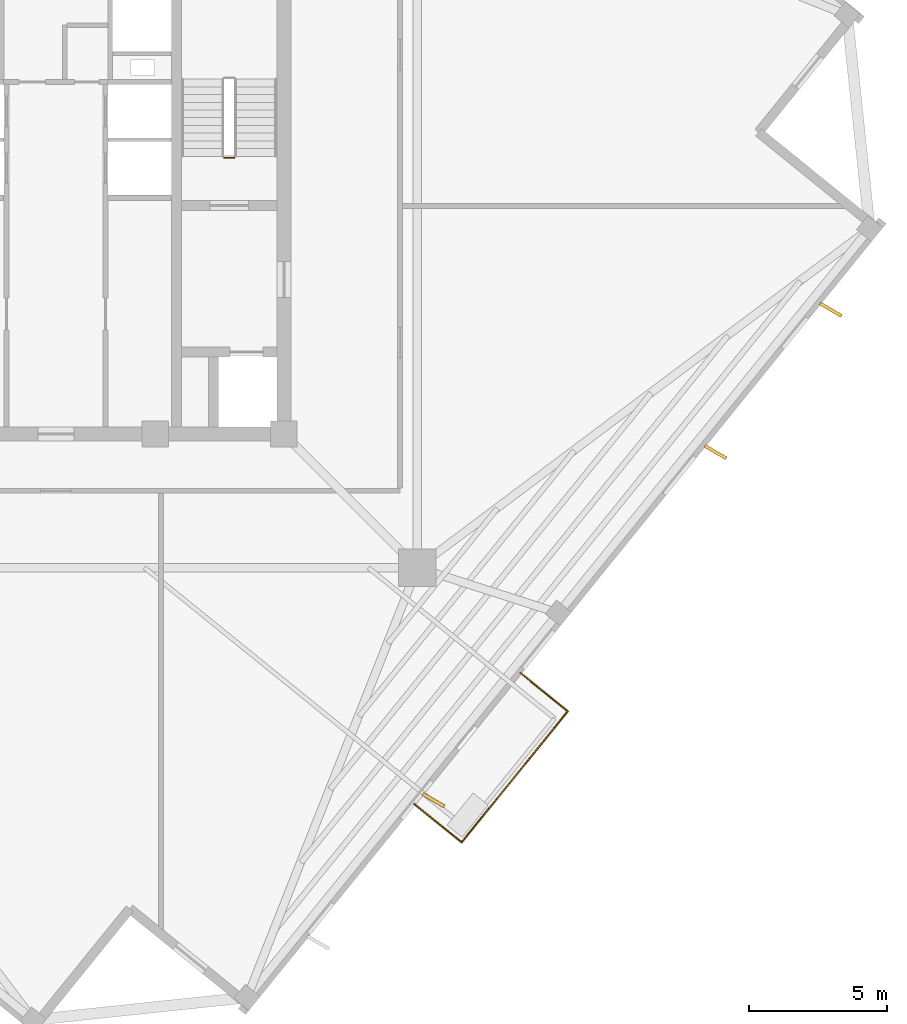
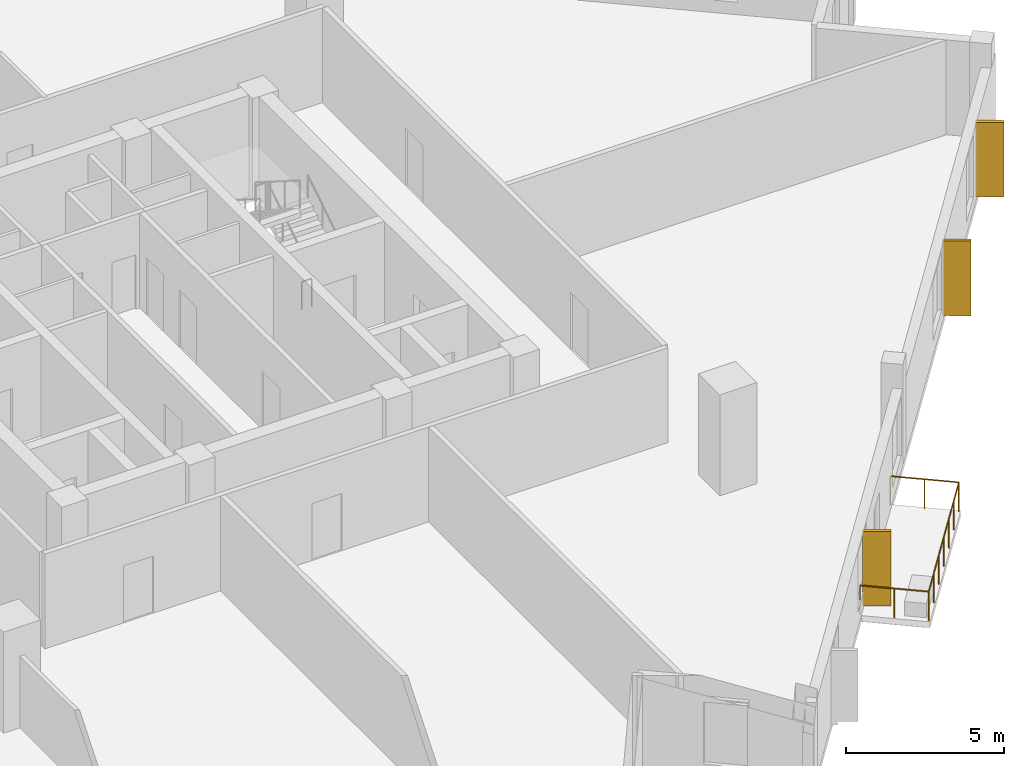
# One storey, part 7 of 9: 4 railings, 3 coverings.
"""IFC4 building model written with IfcOpenShell, lengths in metres."""

from ifc_helpers import new_model, si_unit, direction, frame, origin, origin_2d, place, context, subcontext, project, spatial, rectangle, circle, extrude, source, transform, mapped, material, layer, layer_set, type_object, element, save


model = new_model("IFC4")

# Units and contexts
model_context = context("Model", 3, precision=1e-05, world=origin(), true_north=direction((0.0, 1.0)))
body_context = subcontext(model_context, "Body", "Model", "MODEL_VIEW")
ifc_project = project(units=[si_unit("LENGTHUNIT", "METRE"), si_unit("AREAUNIT", "SQUARE_METRE"), si_unit("VOLUMEUNIT", "CUBIC_METRE"), si_unit("PLANEANGLEUNIT", "RADIAN"), si_unit("MASSUNIT", "GRAM", prefix="KILO"), si_unit("THERMODYNAMICTEMPERATUREUNIT", "KELVIN")], contexts=[model_context])

# Site, building, storey
site_placement = place(None, origin())
site = spatial("IfcSite", under=ifc_project, at=site_placement, CompositionType="ELEMENT")
building_placement = place(site_placement, origin())
building = spatial("IfcBuilding", under=site, at=building_placement, Name="Kosmvard Interchange Tower", CompositionType="ELEMENT")
storey_placement = place(building_placement, frame((0.0, 0.0, 248.5)))
storey = spatial("IfcBuildingStorey", under=building, at=storey_placement, Name="L60", CompositionType="ELEMENT", Elevation=248.5)

# Railings
ifc_material_1 = material(Name="Steel S355", Category="steel")
railing_type_1 = type_object("IfcRailingType", Name="Observation & Balcony Glass-Infill Balustrade 1150", PredefinedType="BALUSTRADE", material=ifc_material_1)
shared_shape_1 = source(origin(), body_context, "Body", "SweptSolid", [
    extrude(circle(Radius=0.02392578125, at=origin_2d()), frame((0.0, 0.0, 1.1259765625), z_axis=(-0.777195763313, 0.629258885904, 0.0), x_axis=(-0.629258885904, -0.777195763313, 0.0)), (0.0, 0.0, 1.0), 2.199951171875),
    extrude(circle(Radius=0.02099609375, at=origin_2d()), origin(), (0.0, 0.0, 1.0), 1.101806640625),
    extrude(circle(Radius=0.02099609375, at=origin_2d()), frame((-0.85498046875, 0.692138671875, 0.0)), (0.0, 0.0, 1.0), 1.101806640625),
    extrude(circle(Radius=0.02099609375, at=origin_2d()), frame((-1.709716796875, 1.38427734375, 0.0)), (0.0, 0.0, 1.0), 1.101806640625),
])
railing_1_placement = place(storey_placement, frame((18.523193359375, -18.281005859375, 0.0)))
element("IfcRailing", 1, at=railing_1_placement, inside=storey, type_object=railing_type_1, Name="L60 Outdoor Terrace Guard BAL-L60-S-C", PredefinedType="BALUSTRADE", context=body_context, shape_type="MappedRepresentation", body=[
    mapped(shared_shape_1, transform((0.0, 0.0, 0.0), scale=1.0)),
])
shared_shape_2 = source(origin(), body_context, "Body", "SweptSolid", [
    extrude(circle(Radius=0.02392578125, at=origin_2d()), frame((0.0, 0.0, 1.1259765625), z_axis=(0.777141488432, -0.629325914736, 0.0), x_axis=(0.629325914736, 0.777141488432, 0.0)), (0.0, 0.0, 1.0), 2.199951171875),
    extrude(circle(Radius=0.02099609375, at=origin_2d()), origin(), (0.0, 0.0, 1.0), 1.101806640625),
    extrude(circle(Radius=0.02099609375, at=origin_2d()), frame((0.85498046875, -0.6923828125, 0.0)), (0.0, 0.0, 1.0), 1.101806640625),
    extrude(circle(Radius=0.02099609375, at=origin_2d()), frame((1.709716796875, -1.384521484375, 0.0)), (0.0, 0.0, 1.0), 1.101806640625),
])
railing_2_placement = place(storey_placement, frame((12.974853515625, -21.63720703125, 0.0)))
element("IfcRailing", 2, at=railing_2_placement, inside=storey, type_object=railing_type_1, Name="L60 Outdoor Terrace Guard BAL-L60-S-A", PredefinedType="BALUSTRADE", context=body_context, shape_type="MappedRepresentation", body=[
    mapped(shared_shape_2, transform((0.0, 0.0, 0.0), scale=1.0)),
])

# Coverings
ifc_material_2 = material(Name="Architectural anodised aluminium", Category="aluminium")
ifc_layer = layer(ifc_material_2, 0.1201171875, Name="Architectural anodised aluminium")
ifc_layer_set = layer_set([ifc_layer], Name="Architectural anodised aluminium")
covering_type = type_object("IfcCoveringType", Name="Rotating Vertical Sun-Breaker Fin 900x120 Aluminium", PredefinedType="CLADDING", material=ifc_layer_set)
shared_shape_3 = source(origin(), body_context, "Body", "SweptSolid", [
    extrude(rectangle(XDim=0.89990234375, YDim=0.1201171875, at=origin_2d()), origin(), (0.0, 0.0, 1.0), 2.8798828125),
])
for number, where, z_axis, x_axis, name in (
    (3, (13.66748046875, -21.49658203125, 0.0400390625), (0.0, 0.0, 1.0), (0.864186995248, -0.503170783377, 0.0), "L60 Rotating Vertical Sun-Breaker Fin 02"),
    (4, (23.86865234375, -8.8994140625, 0.0400390625), (0.0, 0.0, 1.0), (0.864186995248, -0.503170783377, 0.0), "L60 Rotating Vertical Sun-Breaker Fin 03"),
    (5, (28.041748046875, -3.74609375, 0.0400390625), (0.0, 0.0, 1.0), (0.864186995248, -0.503170783377, 0.0), "L60 Rotating Vertical Sun-Breaker Fin 04"),
):
    element("IfcCovering", number, at=place(storey_placement, frame(where, z_axis=z_axis, x_axis=x_axis)), inside=storey, type_object=covering_type, Name=name, PredefinedType="CLADDING", context=body_context, shape_type="MappedRepresentation", body=[
        mapped(shared_shape_3, transform((0.0, 0.0, 0.0), scale=1.0)),
    ])

# Railings
shared_shape_4 = source(origin(), body_context, "Body", "SweptSolid", [
    extrude(circle(Radius=0.02392578125, at=origin_2d()), frame((0.0, 0.0, 1.1259765625), z_axis=(0.629286879001, 0.777173097783, 0.0), x_axis=(-0.777173097783, 0.629286879001, 0.0)), (0.0, 0.0, 1.0), 6.099853515625),
    extrude(circle(Radius=0.02099609375, at=origin_2d()), origin(), (0.0, 0.0, 1.0), 1.101806640625),
    extrude(circle(Radius=0.02099609375, at=origin_2d()), frame((0.6396484375, 0.7900390625, 0.0)), (0.0, 0.0, 1.0), 1.101806640625),
    extrude(circle(Radius=0.02099609375, at=origin_2d()), frame((1.279541015625, 1.580322265625, 0.0)), (0.0, 0.0, 1.0), 1.101806640625),
    extrude(circle(Radius=0.02099609375, at=origin_2d()), frame((1.91943359375, 2.370361328125, 0.0)), (0.0, 0.0, 1.0), 1.101806640625),
    extrude(circle(Radius=0.02099609375, at=origin_2d()), frame((2.55908203125, 3.160400390625, 0.0)), (0.0, 0.0, 1.0), 1.101806640625),
    extrude(circle(Radius=0.02099609375, at=origin_2d()), frame((3.19873046875, 3.95068359375, 0.0)), (0.0, 0.0, 1.0), 1.101806640625),
    extrude(circle(Radius=0.02099609375, at=origin_2d()), frame((3.838623046875, 4.74072265625, 0.0)), (0.0, 0.0, 1.0), 1.101806640625),
])
railing_3_placement = place(storey_placement, frame((14.6845703125, -23.021728515625, 0.0)))
element("IfcRailing", 6, at=railing_3_placement, inside=storey, type_object=railing_type_1, Name="L60 Outdoor Terrace Guard BAL-L60-S-B", PredefinedType="BALUSTRADE", context=body_context, shape_type="MappedRepresentation", body=[
    mapped(shared_shape_4, transform((0.0, 0.0, 0.0), scale=1.0)),
])
railing_type_2 = type_object("IfcRailingType", Name="Stair & Terrace Safety Guardrail 1100 Steel", PredefinedType="GUARDRAIL", material=ifc_material_1)
shared_shape_5 = source(origin(), body_context, "Body", "SweptSolid", [
    extrude(circle(Radius=0.02392578125, at=origin_2d()), frame((0.0, 0.0, 1.076171875), z_axis=(-1.0, 0.0, 0.0), x_axis=(0.0, -1.0, 0.0)), (0.0, 0.0, 1.0), 0.35986328125),
    extrude(circle(Radius=0.02099609375, at=origin_2d()), origin(), (0.0, 0.0, 1.0), 1.052001953125),
    extrude(circle(Radius=0.02099609375, at=origin_2d()), frame((-0.35986328125, 0.0, 0.0)), (0.0, 0.0, 1.0), 1.052001953125),
])
railing_4_placement = place(storey_placement, frame((6.449951171875, 1.75, 0.0)))
element("IfcRailing", 7, at=railing_4_placement, inside=storey, type_object=railing_type_2, Name="L60 ST-2 stair guard 4", PredefinedType="GUARDRAIL", context=body_context, shape_type="MappedRepresentation", body=[
    mapped(shared_shape_5, transform((0.0, 0.0, 0.0), scale=1.0)),
])

save(model, "model.ifc")
